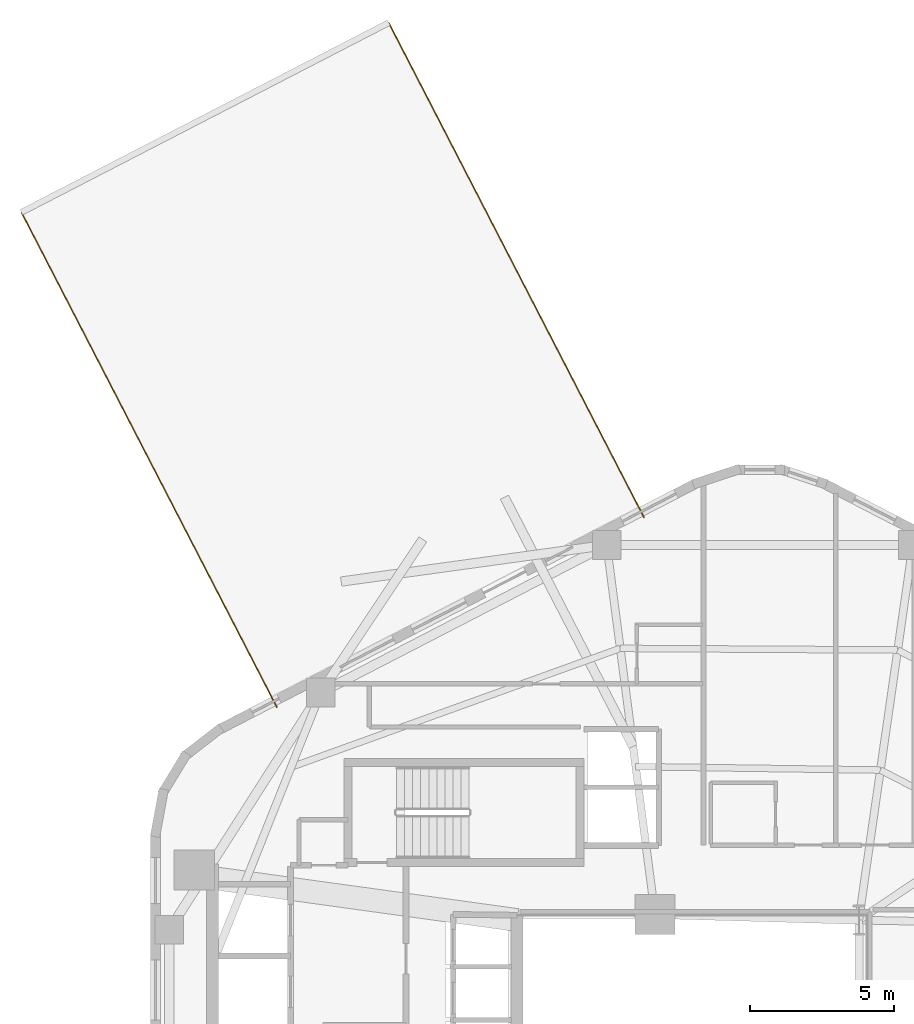
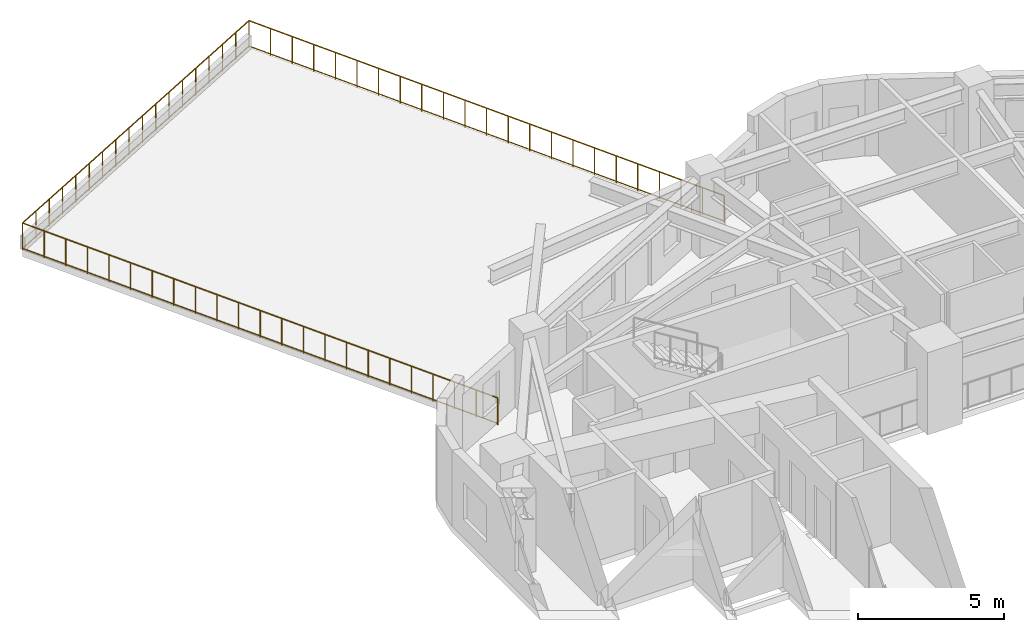
# One storey, part 8 of 8: 1 railing.
"""IFC4 building model written with IfcOpenShell, lengths in metres."""

from ifc_helpers import new_model, si_unit, direction, frame, origin, origin_2d, place, context, subcontext, project, spatial, circle, extrude, material, type_object, element, save


model = new_model("IFC4")

# Units and contexts
model_context = context("Model", 3, precision=1e-05, world=origin(), true_north=direction((0.0, 1.0)))
body_context = subcontext(model_context, "Body", "Model", "MODEL_VIEW")
ifc_project = project(units=[si_unit("LENGTHUNIT", "METRE"), si_unit("AREAUNIT", "SQUARE_METRE"), si_unit("VOLUMEUNIT", "CUBIC_METRE"), si_unit("PLANEANGLEUNIT", "RADIAN"), si_unit("MASSUNIT", "GRAM", prefix="KILO"), si_unit("THERMODYNAMICTEMPERATUREUNIT", "KELVIN"), si_unit("POWERUNIT", "WATT")], contexts=[model_context])

# Site, building, storey
site_placement = place(None, origin())
site = spatial("IfcSite", under=ifc_project, at=site_placement, CompositionType="ELEMENT")
building_placement = place(site_placement, origin())
building = spatial("IfcBuilding", under=site, at=building_placement, Name="Skarre Station Tower", CompositionType="ELEMENT")
storey_placement = place(building_placement, frame((0.0, 0.0, 149.85009765625)))
storey = spatial("IfcBuildingStorey", under=building, at=storey_placement, Name="L40", CompositionType="ELEMENT", Elevation=149.85009765625)

# Railing
ifc_material = material(Name="Stainless Steel Grade 316L & Laminated Safety Glass", Category="steel")
railing_type = type_object("IfcRailingType", Name="Laminated Glass & Stainless Terrace Guardrail 1150", PredefinedType="BALUSTRADE", material=ifc_material)
railing_placement = place(storey_placement, frame((31.971923828125, 43.3720703125, 0.0)))
element("IfcRailing", 1, at=railing_placement, inside=storey, type_object=railing_type, Name="L40 SB-3 Sky-Bar Roof Terrace Guardrail", PredefinedType="BALUSTRADE", context=body_context, shape_type="SweptSolid", body=[
    extrude(circle(Radius=0.02392578125, at=origin_2d()), frame((0.0, 0.0, 1.1259765625), z_axis=(-0.458619197522, 0.888632900395, 0.0), x_axis=(-0.888632900395, -0.458619197522, 0.0)), (0.0, 0.0, 1.0), 19.3994140625),
    extrude(circle(Radius=0.02099609375, at=origin_2d()), frame((0.0, 0.0, 0.06005859375), z_axis=(-0.458619197522, 0.888632900395, 0.0), x_axis=(-0.888632900395, -0.458619197522, 0.0)), (0.0, 0.0, 1.0), 19.3994140625),
    extrude(circle(Radius=0.02392578125, at=origin_2d()), frame((-8.89697265625, 17.239013671875, 1.1259765625), z_axis=(-0.888602378714, -0.458678332324, 0.0), x_axis=(0.458678332324, -0.888602378714, 0.0)), (0.0, 0.0, 1.0), 14.400146484375),
    extrude(circle(Radius=0.02099609375, at=origin_2d()), frame((-8.89697265625, 17.239013671875, 0.06005859375), z_axis=(-0.888602378714, -0.458678332324, 0.0), x_axis=(0.458678332324, -0.888602378714, 0.0)), (0.0, 0.0, 1.0), 14.400146484375),
    extrude(circle(Radius=0.02392578125, at=origin_2d()), frame((-21.69287109375, 10.634033203125, 1.1259765625), z_axis=(0.458658947762, -0.88861238436, 0.0), x_axis=(0.88861238436, 0.458658947762, 0.0)), (0.0, 0.0, 1.0), 19.39990234375),
    extrude(circle(Radius=0.02099609375, at=origin_2d()), frame((-21.69287109375, 10.634033203125, 0.06005859375), z_axis=(0.458658947762, -0.88861238436, 0.0), x_axis=(0.88861238436, 0.458658947762, 0.0)), (0.0, 0.0, 1.0), 19.39990234375),
    extrude(circle(Radius=0.02099609375, at=origin_2d()), origin(), (0.0, 0.0, 1.0), 1.101806640625),
    extrude(circle(Radius=0.02099609375, at=origin_2d()), frame((-0.404296875, 0.78369140625, 0.0)), (0.0, 0.0, 1.0), 1.101806640625),
    extrude(circle(Radius=0.02099609375, at=origin_2d()), frame((-0.808837890625, 1.567138671875, 0.0)), (0.0, 0.0, 1.0), 1.101806640625),
    extrude(circle(Radius=0.02099609375, at=origin_2d()), frame((-1.213134765625, 2.350830078125, 0.0)), (0.0, 0.0, 1.0), 1.101806640625),
    extrude(circle(Radius=0.02099609375, at=origin_2d()), frame((-1.61767578125, 3.13427734375, 0.0)), (0.0, 0.0, 1.0), 1.101806640625),
    extrude(circle(Radius=0.02099609375, at=origin_2d()), frame((-2.02197265625, 3.91796875, 0.0)), (0.0, 0.0, 1.0), 1.101806640625),
    extrude(circle(Radius=0.02099609375, at=origin_2d()), frame((-2.426513671875, 4.70166015625, 0.0)), (0.0, 0.0, 1.0), 1.101806640625),
    extrude(circle(Radius=0.02099609375, at=origin_2d()), frame((-2.830810546875, 5.485107421875, 0.0)), (0.0, 0.0, 1.0), 1.101806640625),
    extrude(circle(Radius=0.02099609375, at=origin_2d()), frame((-3.2353515625, 6.268798828125, 0.0)), (0.0, 0.0, 1.0), 1.101806640625),
    extrude(circle(Radius=0.02099609375, at=origin_2d()), frame((-3.6396484375, 7.05224609375, 0.0)), (0.0, 0.0, 1.0), 1.101806640625),
    extrude(circle(Radius=0.02099609375, at=origin_2d()), frame((-4.044189453125, 7.8359375, 0.0)), (0.0, 0.0, 1.0), 1.101806640625),
    extrude(circle(Radius=0.02099609375, at=origin_2d()), frame((-4.448486328125, 8.61962890625, 0.0)), (0.0, 0.0, 1.0), 1.101806640625),
    extrude(circle(Radius=0.02099609375, at=origin_2d()), frame((-4.852783203125, 9.403076171875, 0.0)), (0.0, 0.0, 1.0), 1.101806640625),
    extrude(circle(Radius=0.02099609375, at=origin_2d()), frame((-5.25732421875, 10.186767578125, 0.0)), (0.0, 0.0, 1.0), 1.101806640625),
    extrude(circle(Radius=0.02099609375, at=origin_2d()), frame((-5.66162109375, 10.97021484375, 0.0)), (0.0, 0.0, 1.0), 1.101806640625),
    extrude(circle(Radius=0.02099609375, at=origin_2d()), frame((-6.066162109375, 11.75390625, 0.0)), (0.0, 0.0, 1.0), 1.101806640625),
    extrude(circle(Radius=0.02099609375, at=origin_2d()), frame((-6.470458984375, 12.537353515625, 0.0)), (0.0, 0.0, 1.0), 1.101806640625),
    extrude(circle(Radius=0.02099609375, at=origin_2d()), frame((-6.875, 13.321044921875, 0.0)), (0.0, 0.0, 1.0), 1.101806640625),
    extrude(circle(Radius=0.02099609375, at=origin_2d()), frame((-7.279296875, 14.104736328125, 0.0)), (0.0, 0.0, 1.0), 1.101806640625),
    extrude(circle(Radius=0.02099609375, at=origin_2d()), frame((-7.683837890625, 14.88818359375, 0.0)), (0.0, 0.0, 1.0), 1.101806640625),
    extrude(circle(Radius=0.02099609375, at=origin_2d()), frame((-8.088134765625, 15.671875, 0.0)), (0.0, 0.0, 1.0), 1.101806640625),
    extrude(circle(Radius=0.02099609375, at=origin_2d()), frame((-8.49267578125, 16.455322265625, 0.0)), (0.0, 0.0, 1.0), 1.101806640625),
    extrude(circle(Radius=0.02099609375, at=origin_2d()), frame((-8.89697265625, 17.239013671875, 0.0)), (0.0, 0.0, 1.0), 1.101806640625),
    extrude(circle(Radius=0.02099609375, at=origin_2d()), frame((-9.649658203125, 16.8505859375, 0.0)), (0.0, 0.0, 1.0), 1.101806640625),
    extrude(circle(Radius=0.02099609375, at=origin_2d()), frame((-10.40234375, 16.4619140625, 0.0)), (0.0, 0.0, 1.0), 1.101806640625),
    extrude(circle(Radius=0.02099609375, at=origin_2d()), frame((-11.155029296875, 16.073486328125, 0.0)), (0.0, 0.0, 1.0), 1.101806640625),
    extrude(circle(Radius=0.02099609375, at=origin_2d()), frame((-11.90771484375, 15.684814453125, 0.0)), (0.0, 0.0, 1.0), 1.101806640625),
    extrude(circle(Radius=0.02099609375, at=origin_2d()), frame((-12.660400390625, 15.29638671875, 0.0)), (0.0, 0.0, 1.0), 1.101806640625),
    extrude(circle(Radius=0.02099609375, at=origin_2d()), frame((-13.4130859375, 14.907958984375, 0.0)), (0.0, 0.0, 1.0), 1.101806640625),
    extrude(circle(Radius=0.02099609375, at=origin_2d()), frame((-14.165771484375, 14.519287109375, 0.0)), (0.0, 0.0, 1.0), 1.101806640625),
    extrude(circle(Radius=0.02099609375, at=origin_2d()), frame((-14.91845703125, 14.130859375, 0.0)), (0.0, 0.0, 1.0), 1.101806640625),
    extrude(circle(Radius=0.02099609375, at=origin_2d()), frame((-15.67138671875, 13.7421875, 0.0)), (0.0, 0.0, 1.0), 1.101806640625),
    extrude(circle(Radius=0.02099609375, at=origin_2d()), frame((-16.424072265625, 13.353759765625, 0.0)), (0.0, 0.0, 1.0), 1.101806640625),
    extrude(circle(Radius=0.02099609375, at=origin_2d()), frame((-17.1767578125, 12.965087890625, 0.0)), (0.0, 0.0, 1.0), 1.101806640625),
    extrude(circle(Radius=0.02099609375, at=origin_2d()), frame((-17.929443359375, 12.57666015625, 0.0)), (0.0, 0.0, 1.0), 1.101806640625),
    extrude(circle(Radius=0.02099609375, at=origin_2d()), frame((-18.68212890625, 12.188232421875, 0.0)), (0.0, 0.0, 1.0), 1.101806640625),
    extrude(circle(Radius=0.02099609375, at=origin_2d()), frame((-19.434814453125, 11.799560546875, 0.0)), (0.0, 0.0, 1.0), 1.101806640625),
    extrude(circle(Radius=0.02099609375, at=origin_2d()), frame((-20.1875, 11.4111328125, 0.0)), (0.0, 0.0, 1.0), 1.101806640625),
    extrude(circle(Radius=0.02099609375, at=origin_2d()), frame((-20.940185546875, 11.0224609375, 0.0)), (0.0, 0.0, 1.0), 1.101806640625),
    extrude(circle(Radius=0.02099609375, at=origin_2d()), frame((-21.69287109375, 10.634033203125, 0.0)), (0.0, 0.0, 1.0), 1.101806640625),
    extrude(circle(Radius=0.02099609375, at=origin_2d()), frame((-21.288330078125, 9.850341796875, 0.0)), (0.0, 0.0, 1.0), 1.101806640625),
    extrude(circle(Radius=0.02099609375, at=origin_2d()), frame((-20.884033203125, 9.06689453125, 0.0)), (0.0, 0.0, 1.0), 1.101806640625),
    extrude(circle(Radius=0.02099609375, at=origin_2d()), frame((-20.4794921875, 8.283203125, 0.0)), (0.0, 0.0, 1.0), 1.101806640625),
    extrude(circle(Radius=0.02099609375, at=origin_2d()), frame((-20.074951171875, 7.499755859375, 0.0)), (0.0, 0.0, 1.0), 1.101806640625),
    extrude(circle(Radius=0.02099609375, at=origin_2d()), frame((-19.670654296875, 6.716064453125, 0.0)), (0.0, 0.0, 1.0), 1.101806640625),
    extrude(circle(Radius=0.02099609375, at=origin_2d()), frame((-19.26611328125, 5.932373046875, 0.0)), (0.0, 0.0, 1.0), 1.101806640625),
    extrude(circle(Radius=0.02099609375, at=origin_2d()), frame((-18.86181640625, 5.14892578125, 0.0)), (0.0, 0.0, 1.0), 1.101806640625),
    extrude(circle(Radius=0.02099609375, at=origin_2d()), frame((-18.457275390625, 4.365234375, 0.0)), (0.0, 0.0, 1.0), 1.101806640625),
    extrude(circle(Radius=0.02099609375, at=origin_2d()), frame((-18.052734375, 3.581787109375, 0.0)), (0.0, 0.0, 1.0), 1.101806640625),
    extrude(circle(Radius=0.02099609375, at=origin_2d()), frame((-17.6484375, 2.798095703125, 0.0)), (0.0, 0.0, 1.0), 1.101806640625),
    extrude(circle(Radius=0.02099609375, at=origin_2d()), frame((-17.243896484375, 2.0146484375, 0.0)), (0.0, 0.0, 1.0), 1.101806640625),
    extrude(circle(Radius=0.02099609375, at=origin_2d()), frame((-16.83935546875, 1.23095703125, 0.0)), (0.0, 0.0, 1.0), 1.101806640625),
    extrude(circle(Radius=0.02099609375, at=origin_2d()), frame((-16.43505859375, 0.447265625, 0.0)), (0.0, 0.0, 1.0), 1.101806640625),
    extrude(circle(Radius=0.02099609375, at=origin_2d()), frame((-16.030517578125, -0.336181640625, 0.0)), (0.0, 0.0, 1.0), 1.101806640625),
    extrude(circle(Radius=0.02099609375, at=origin_2d()), frame((-15.6259765625, -1.119873046875, 0.0)), (0.0, 0.0, 1.0), 1.101806640625),
    extrude(circle(Radius=0.02099609375, at=origin_2d()), frame((-15.2216796875, -1.9033203125, 0.0)), (0.0, 0.0, 1.0), 1.101806640625),
    extrude(circle(Radius=0.02099609375, at=origin_2d()), frame((-14.817138671875, -2.68701171875, 0.0)), (0.0, 0.0, 1.0), 1.101806640625),
    extrude(circle(Radius=0.02099609375, at=origin_2d()), frame((-14.412841796875, -3.470703125, 0.0)), (0.0, 0.0, 1.0), 1.101806640625),
    extrude(circle(Radius=0.02099609375, at=origin_2d()), frame((-14.00830078125, -4.254150390625, 0.0)), (0.0, 0.0, 1.0), 1.101806640625),
    extrude(circle(Radius=0.02099609375, at=origin_2d()), frame((-13.603759765625, -5.037841796875, 0.0)), (0.0, 0.0, 1.0), 1.101806640625),
    extrude(circle(Radius=0.02099609375, at=origin_2d()), frame((-13.199462890625, -5.8212890625, 0.0)), (0.0, 0.0, 1.0), 1.101806640625),
    extrude(circle(Radius=0.02099609375, at=origin_2d()), frame((-12.794921875, -6.60498046875, 0.0)), (0.0, 0.0, 1.0), 1.101806640625),
])

save(model, "model.ifc")
